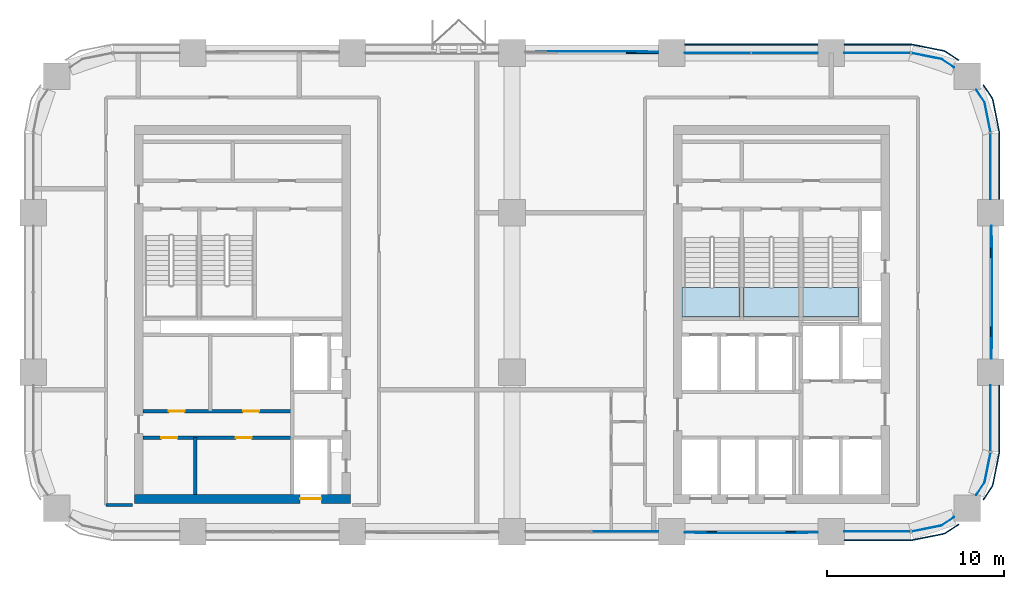
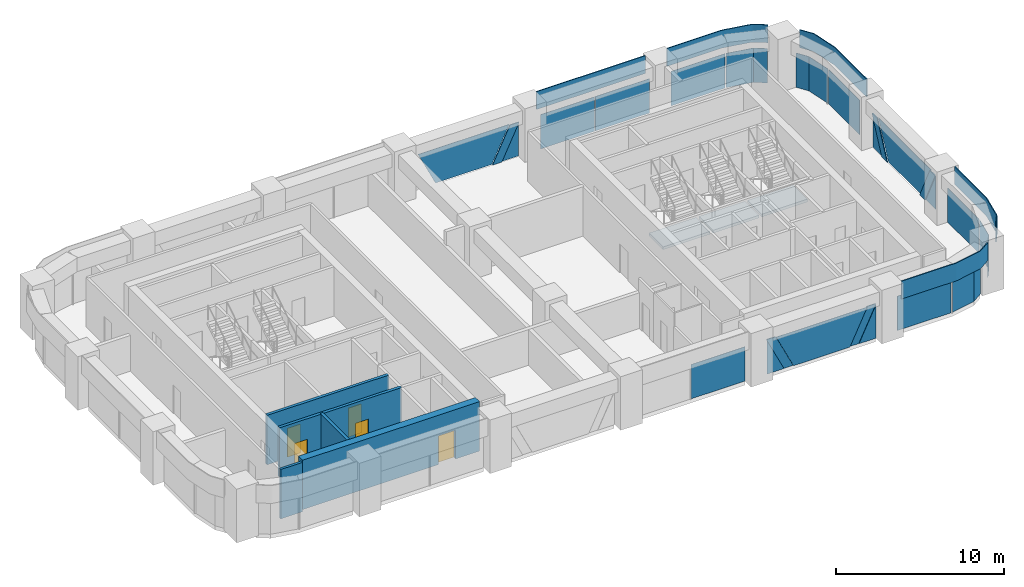
# One storey, part 8 of 14: 29 plates, 5 doors, 5 walls, 3 slabs, 5 openings, 12 elements without a shape of their own.
"""IFC4 building model written with IfcOpenShell, lengths in metres."""

from ifc_helpers import new_model, si_unit, direction, frame, frame_2d, origin, origin_2d, place, context, subcontext, project, spatial, polyline, rectangle, outline, extrude, material, layer, layer_set, type_object, element, fill, aggregate, save


model = new_model("IFC4")

# Units and contexts
model_context = context("Model", 3, precision=1e-05, world=origin(), true_north=direction((0.0, 1.0)))
body_context = subcontext(model_context, "Body", "Model", "MODEL_VIEW")
ifc_project = project(units=[si_unit("LENGTHUNIT", "METRE"), si_unit("AREAUNIT", "SQUARE_METRE"), si_unit("VOLUMEUNIT", "CUBIC_METRE"), si_unit("PLANEANGLEUNIT", "RADIAN"), si_unit("MASSUNIT", "GRAM", prefix="KILO")], contexts=[model_context])

# Site, building, storey
site_placement = place(None, origin())
site = spatial("IfcSite", under=ifc_project, at=site_placement, CompositionType="ELEMENT")
building_placement = place(site_placement, origin())
building = spatial("IfcBuilding", under=site, at=building_placement, Name="Tessera Arch", CompositionType="ELEMENT")
storey_placement = place(building_placement, frame((0.0, 0.0, 177.800048828125)))
storey = spatial("IfcBuildingStorey", under=building, at=storey_placement, Name="L42", CompositionType="ELEMENT", Elevation=177.800048828125)

# Curtain wall, plates
ifc_material_1 = material(Name="CW1 curtain wall")
curtain_wall_type_1 = type_object("IfcCurtainWallType", Name="CW1 curtain wall", PredefinedType="NOTDEFINED", material=ifc_material_1)
curtain_wall_1_placement = place(storey_placement, origin())
curtain_wall_1 = element("IfcCurtainWall", 1, at=curtain_wall_1_placement, inside=storey, type_object=curtain_wall_type_1, Name="CW1 curtain wall N54.0/1 L42", PredefinedType="NOTDEFINED")
ifc_material_2 = material(Name="Clear low-e glass", Category="glass")
ifc_material_3 = material(Name="Clear low-e glass", Category="glass")
ifc_layer_1 = layer(ifc_material_3, 0.028076171875)
ifc_layer_set_1 = layer_set([ifc_layer_1], Name="CW1 glass panel")
plate_type_1 = type_object("IfcPlateType", Name="CW1 glass panel", PredefinedType="CURTAIN_PANEL", material=ifc_layer_set_1)
plate_1_placement = place(storey_placement, frame((42.389892578125, 54.0, 0.0), z_axis=(0.0, 0.0, 1.0), x_axis=(-1.0, 0.0, 0.0)))
plate_1 = element("IfcPlate", 2, at=plate_1_placement, type_object=plate_type_1, material=ifc_material_2, Name="CW1 glass panel N54.0/1 1.1.1", PredefinedType="CURTAIN_PANEL", context=body_context, shape_type="SweptSolid", body=[
    extrude(rectangle(XDim=3.719970703125, YDim=0.028076171875, at=origin_2d()), origin(), (0.0, 0.0, 1.0), 2.5),
])
plate_2_placement = place(storey_placement, frame((38.610107421875, 54.0, 0.0), z_axis=(0.0, 0.0, 1.0), x_axis=(-1.0, 0.0, 0.0)))
plate_2 = element("IfcPlate", 3, at=plate_2_placement, type_object=plate_type_1, material=ifc_material_2, Name="CW1 glass panel N54.0/1 1.2.1", PredefinedType="CURTAIN_PANEL", context=body_context, shape_type="SweptSolid", body=[
    extrude(rectangle(XDim=3.719970703125, YDim=0.028076171875, at=origin_2d()), origin(), (0.0, 0.0, 1.0), 2.5),
])

# Curtain wall, plate
curtain_wall_2_placement = place(storey_placement, origin())
curtain_wall_2 = element("IfcCurtainWall", 4, at=curtain_wall_2_placement, inside=storey, type_object=curtain_wall_type_1, Name="CW1 curtain wall S27.0/3 L42", PredefinedType="NOTDEFINED")
plate_3_placement = place(storey_placement, frame((33.389892578125, 27.0, 0.0), z_axis=(0.0, 0.0, 1.0), x_axis=(1.0, 0.0, 0.0)))
plate_3 = element("IfcPlate", 5, at=plate_3_placement, type_object=plate_type_1, material=ifc_material_2, Name="CW1 glass panel S27.0/3 1.2.1", PredefinedType="CURTAIN_PANEL", context=body_context, shape_type="SweptSolid", body=[
    extrude(rectangle(XDim=3.719970703125, YDim=0.028076171875, at=origin_2d()), origin(), (0.0, 0.0, 1.0), 2.5),
])
aggregate(curtain_wall_2, [plate_3])

# Plate
ifc_material_4 = material(Name="Pale anodised aluminium panel", Category="aluminium")
ifc_layer_2 = layer(ifc_material_4, 0.06005859375)
ifc_layer_set_2 = layer_set([ifc_layer_2], Name="CW1 spandrel panel")
plate_type_2 = type_object("IfcPlateType", Name="CW1 spandrel panel", PredefinedType="CURTAIN_PANEL", material=ifc_layer_set_2)
plate_4_placement = place(storey_placement, frame((40.5, 54.47998046875, 2.60009765625), z_axis=(0.0, 0.0, 1.0), x_axis=(-1.0, 0.0, 0.0)))
plate_4 = element("IfcPlate", 6, at=plate_4_placement, type_object=plate_type_2, Name="CW1 spandrel panel N54.0/1", PredefinedType="CURTAIN_PANEL", context=body_context, shape_type="SweptSolid", body=[
    extrude(rectangle(XDim=7.5, YDim=0.06005859375, at=origin_2d()), origin(), (0.0, 0.0, 1.0), 1.300048828125),
])

aggregate(curtain_wall_1, [plate_1, plate_2, plate_4])

# Curtain wall, plates
ifc_material_5 = material(Name="CW2 curtain wall")
curtain_wall_type_2 = type_object("IfcCurtainWallType", Name="CW2 curtain wall", PredefinedType="NOTDEFINED", material=ifc_material_5)
curtain_wall_3_placement = place(storey_placement, origin())
curtain_wall_3 = element("IfcCurtainWall", 7, at=curtain_wall_3_placement, inside=storey, type_object=curtain_wall_type_2, Name="CW2 curtain wall E54.27/1 L42", PredefinedType="NOTDEFINED")
ifc_material_6 = material(Name="Clear low-e glass", Category="glass")
ifc_layer_3 = layer(ifc_material_6, 0.028076171875)
ifc_layer_set_3 = layer_set([ifc_layer_3], Name="CW2 glass panel")
plate_type_3 = type_object("IfcPlateType", Name="CW2 glass panel", PredefinedType="CURTAIN_PANEL", material=ifc_layer_set_3)
plate_5_placement = place(storey_placement, frame((54.0, 47.60498046875, 0.0), z_axis=(0.0, 0.0, 1.0), x_axis=(0.0, 1.0, 0.0)))
plate_5 = element("IfcPlate", 8, at=plate_5_placement, type_object=plate_type_3, material=ifc_material_2, Name="CW2 glass panel E54.27/1 1.1", PredefinedType="CURTAIN_PANEL", context=body_context, shape_type="SweptSolid", body=[
    extrude(rectangle(XDim=3.7099609375, YDim=0.028076171875, at=origin_2d()), origin(), (0.0, 0.0, 1.0), 2.5),
])
plate_6_placement = place(storey_placement, origin())
plate_6 = element("IfcPlate", 9, at=plate_6_placement, type_object=plate_type_3, material=ifc_material_2, Name="CW2 curved glass panel E54.27/1 2.1", PredefinedType="CURTAIN_PANEL", context=body_context, shape_type="SweptSolid", body=[
    extrude(outline(polyline([(53.644287109375, 51.216552734375), (53.978515625, 49.53662109375), (54.005859375, 49.5419921875), (53.670654296875, 51.2275390625), (53.19482421875, 51.939697265625), (53.17138671875, 51.92431640625), (53.644287109375, 51.216552734375)])), origin(), (0.0, 0.0, 1.0), 2.5),
])

curtain_wall_4_placement = place(storey_placement, origin())
curtain_wall_4 = element("IfcCurtainWall", 10, at=curtain_wall_4_placement, inside=storey, type_object=curtain_wall_type_2, Name="CW2 curtain wall N54.0/0 L42", PredefinedType="NOTDEFINED")
plate_7_placement = place(storey_placement, frame((47.60498046875, 54.0, 0.0), z_axis=(0.0, 0.0, 1.0), x_axis=(-1.0, 0.0, 0.0)))
plate_7 = element("IfcPlate", 11, at=plate_7_placement, type_object=plate_type_3, material=ifc_material_2, Name="CW2 glass panel N54.0/0 1.1", PredefinedType="CURTAIN_PANEL", context=body_context, shape_type="SweptSolid", body=[
    extrude(rectangle(XDim=3.7099609375, YDim=0.028076171875, at=origin_2d()), origin(), (0.0, 0.0, 1.0), 2.5),
])
plate_8_placement = place(storey_placement, origin())
plate_8 = element("IfcPlate", 12, at=plate_8_placement, type_object=plate_type_3, material=ifc_material_2, Name="CW2 curved glass panel N54.0/0 2.1", PredefinedType="CURTAIN_PANEL", context=body_context, shape_type="SweptSolid", body=[
    extrude(outline(polyline([(51.216552734375, 53.644287109375), (51.92431640625, 53.17138671875), (51.939697265625, 53.19482421875), (51.2275390625, 53.670654296875), (49.5419921875, 54.005859375), (49.53662109375, 53.978515625), (51.216552734375, 53.644287109375)])), origin(), (0.0, 0.0, 1.0), 2.5),
])

curtain_wall_5_placement = place(storey_placement, origin())
curtain_wall_5 = element("IfcCurtainWall", 13, at=curtain_wall_5_placement, inside=storey, type_object=curtain_wall_type_2, Name="CW2 curtain wall S27.0/5 L42", PredefinedType="NOTDEFINED")
plate_9_placement = place(storey_placement, frame((47.60498046875, 27.0, 0.0), z_axis=(0.0, 0.0, 1.0), x_axis=(1.0, 0.0, 0.0)))
plate_9 = element("IfcPlate", 14, at=plate_9_placement, type_object=plate_type_3, material=ifc_material_2, Name="CW2 glass panel S27.0/5 1.1", PredefinedType="CURTAIN_PANEL", context=body_context, shape_type="SweptSolid", body=[
    extrude(rectangle(XDim=3.7099609375, YDim=0.028076171875, at=origin_2d()), origin(), (0.0, 0.0, 1.0), 2.5),
])
plate_10_placement = place(storey_placement, origin())
plate_10 = element("IfcPlate", 15, at=plate_10_placement, type_object=plate_type_3, material=ifc_material_2, Name="CW2 curved glass panel S27.0/5 2.1", PredefinedType="CURTAIN_PANEL", context=body_context, shape_type="SweptSolid", body=[
    extrude(outline(polyline([(51.216552734375, 27.355712890625), (49.53662109375, 27.021484375), (49.5419921875, 26.994140625), (51.2275390625, 27.329345703125), (51.939697265625, 27.80517578125), (51.92431640625, 27.82861328125), (51.216552734375, 27.355712890625)])), origin(), (0.0, 0.0, 1.0), 2.5),
])

curtain_wall_6_placement = place(storey_placement, origin())
curtain_wall_6 = element("IfcCurtainWall", 16, at=curtain_wall_6_placement, inside=storey, type_object=curtain_wall_type_2, Name="CW2 curtain wall E54.27/2 L42", PredefinedType="NOTDEFINED")
plate_11_placement = place(storey_placement, frame((54.0, 33.39501953125, 0.0), z_axis=(0.0, 0.0, 1.0), x_axis=(0.0, 1.0, 0.0)))
plate_11 = element("IfcPlate", 17, at=plate_11_placement, type_object=plate_type_3, material=ifc_material_2, Name="CW2 glass panel E54.27/2 1.1", PredefinedType="CURTAIN_PANEL", context=body_context, shape_type="SweptSolid", body=[
    extrude(rectangle(XDim=3.7099609375, YDim=0.028076171875, at=origin_2d()), origin(), (0.0, 0.0, 1.0), 2.5),
])
plate_12_placement = place(storey_placement, origin())
plate_12 = element("IfcPlate", 18, at=plate_12_placement, type_object=plate_type_3, material=ifc_material_2, Name="CW2 curved glass panel E54.27/2 2.1", PredefinedType="CURTAIN_PANEL", context=body_context, shape_type="SweptSolid", body=[
    extrude(outline(polyline([(53.644287109375, 29.783447265625), (53.17138671875, 29.07568359375), (53.19482421875, 29.060302734375), (53.670654296875, 29.7724609375), (54.005859375, 31.4580078125), (53.978515625, 31.46337890625), (53.644287109375, 29.783447265625)])), origin(), (0.0, 0.0, 1.0), 2.5),
])

# Plate
ifc_material_7 = material(Name="Pale anodised aluminium panel", Category="aluminium")
ifc_layer_4 = layer(ifc_material_7, 0.06005859375)
ifc_layer_set_4 = layer_set([ifc_layer_4], Name="CW2 spandrel panel")
plate_type_4 = type_object("IfcPlateType", Name="CW2 spandrel panel", PredefinedType="CURTAIN_PANEL", material=ifc_layer_set_4)
plate_13_placement = place(storey_placement, frame((0.0, 0.0, 2.599853515625)))
plate_13 = element("IfcPlate", 19, at=plate_13_placement, type_object=plate_type_4, Name="CW2 spandrel panel E54.27/1", PredefinedType="CURTAIN_PANEL", context=body_context, shape_type="SweptSolid", body=[
    extrude(outline(polyline([(54.449951171875, 49.499267578125), (54.449951171875, 45.75), (54.510009765625, 45.75), (54.510009765625, 49.500732421875), (54.507568359375, 49.550048828125), (54.500244140625, 49.598876953125), (54.157470703125, 51.322265625), (54.1455078125, 51.3701171875), (54.128662109375, 51.417236328125), (54.107421875, 51.462646484375), (54.08203125, 51.5048828125), (53.607177734375, 52.21533203125), (53.55712890625, 52.18212890625), (54.03125, 51.47265625), (54.054443359375, 51.434326171875), (54.0732421875, 51.394287109375), (54.088134765625, 51.352783203125), (54.09912109375, 51.30908203125), (54.441162109375, 49.588623046875), (54.44775390625, 49.544189453125), (54.449951171875, 49.499267578125)])), origin(), (0.0, 0.0, 1.0), 1.300048828125),
])

aggregate(curtain_wall_3, [plate_5, plate_6, plate_13])

plate_14_placement = place(storey_placement, frame((0.0, 0.0, 2.599853515625)))
plate_14 = element("IfcPlate", 20, at=plate_14_placement, type_object=plate_type_4, Name="CW2 spandrel panel N54.0/0", PredefinedType="CURTAIN_PANEL", context=body_context, shape_type="SweptSolid", body=[
    extrude(outline(polyline([(51.47265625, 54.03125), (52.18212890625, 53.55712890625), (52.21533203125, 53.607177734375), (51.5048828125, 54.08203125), (51.462646484375, 54.107421875), (51.417236328125, 54.128662109375), (51.3701171875, 54.1455078125), (51.322265625, 54.157470703125), (49.598876953125, 54.500244140625), (49.550048828125, 54.507568359375), (49.500732421875, 54.510009765625), (45.75, 54.510009765625), (45.75, 54.449951171875), (49.499267578125, 54.449951171875), (49.544189453125, 54.44775390625), (49.588623046875, 54.441162109375), (51.30908203125, 54.09912109375), (51.352783203125, 54.088134765625), (51.394287109375, 54.0732421875), (51.434326171875, 54.054443359375), (51.47265625, 54.03125)])), origin(), (0.0, 0.0, 1.0), 1.300048828125),
])

aggregate(curtain_wall_4, [plate_7, plate_8, plate_14])

plate_15_placement = place(storey_placement, frame((0.0, 0.0, 2.599853515625)))
plate_15 = element("IfcPlate", 21, at=plate_15_placement, type_object=plate_type_4, Name="CW2 spandrel panel S27.0/5", PredefinedType="CURTAIN_PANEL", context=body_context, shape_type="SweptSolid", body=[
    extrude(outline(polyline([(49.499267578125, 26.550048828125), (45.75, 26.550048828125), (45.75, 26.489990234375), (49.500732421875, 26.489990234375), (49.550048828125, 26.492431640625), (49.598876953125, 26.499755859375), (51.322265625, 26.842529296875), (51.3701171875, 26.8544921875), (51.417236328125, 26.871337890625), (51.462646484375, 26.892578125), (51.5048828125, 26.91796875), (52.21533203125, 27.392822265625), (52.18212890625, 27.44287109375), (51.47265625, 26.96875), (51.434326171875, 26.945556640625), (51.394287109375, 26.9267578125), (51.352783203125, 26.911865234375), (51.30908203125, 26.90087890625), (49.588623046875, 26.558837890625), (49.544189453125, 26.55224609375), (49.499267578125, 26.550048828125)])), origin(), (0.0, 0.0, 1.0), 1.300048828125),
])

aggregate(curtain_wall_5, [plate_9, plate_10, plate_15])

plate_16_placement = place(storey_placement, frame((0.0, 0.0, 2.599853515625)))
plate_16 = element("IfcPlate", 22, at=plate_16_placement, type_object=plate_type_4, Name="CW2 spandrel panel E54.27/2", PredefinedType="CURTAIN_PANEL", context=body_context, shape_type="SweptSolid", body=[
    extrude(outline(polyline([(54.03125, 29.52734375), (53.55712890625, 28.81787109375), (53.607177734375, 28.78466796875), (54.08203125, 29.4951171875), (54.107421875, 29.537353515625), (54.128662109375, 29.582763671875), (54.1455078125, 29.6298828125), (54.157470703125, 29.677734375), (54.500244140625, 31.401123046875), (54.507568359375, 31.449951171875), (54.510009765625, 31.499267578125), (54.510009765625, 35.25), (54.449951171875, 35.25), (54.449951171875, 31.500732421875), (54.44775390625, 31.455810546875), (54.441162109375, 31.411376953125), (54.09912109375, 29.69091796875), (54.088134765625, 29.647216796875), (54.0732421875, 29.605712890625), (54.054443359375, 29.565673828125), (54.03125, 29.52734375)])), origin(), (0.0, 0.0, 1.0), 1.300048828125),
])

aggregate(curtain_wall_6, [plate_11, plate_12, plate_16])

# Curtain wall, plates
ifc_material_8 = material(Name="CW3 curtain wall")
curtain_wall_type_3 = type_object("IfcCurtainWallType", Name="CW3 curtain wall", PredefinedType="NOTDEFINED", material=ifc_material_8)
curtain_wall_7_placement = place(storey_placement, origin())
curtain_wall_7 = element("IfcCurtainWall", 23, at=curtain_wall_7_placement, inside=storey, type_object=curtain_wall_type_3, Name="CW3 curtain wall E54.27/0 L42", PredefinedType="NOTDEFINED")
ifc_material_9 = material(Name="Pale anodised aluminium panel", Category="aluminium")
ifc_layer_5 = layer(ifc_material_9, 0.06005859375)
ifc_layer_set_5 = layer_set([ifc_layer_5], Name="CW3 diagonal panel")
plate_type_5 = type_object("IfcPlateType", Name="CW3 diagonal panel", PredefinedType="CURTAIN_PANEL", material=ifc_layer_set_5)
plate_17_placement = place(storey_placement, frame((54.030029296875, 44.25, 2.5), z_axis=(1.0, 0.0, 0.0), x_axis=(0.0, -1.0, 0.0)))
plate_17 = element("IfcPlate", 24, at=plate_17_placement, type_object=plate_type_5, Name="CW3 diagonal panel E54.27/0 1", PredefinedType="CURTAIN_PANEL", context=body_context, shape_type="SweptSolid", body=[
    extrude(outline(polyline([(0.0, 0.0), (0.608642578125, 0.0), (1.810546875, 2.5), (1.170166015625, 2.5), (0.0, 0.06591796875), (0.0, 0.0)])), origin(), (0.0, 0.0, -1.0), 0.06005859375),
])
plate_18_placement = place(storey_placement, frame((54.030029296875, 36.75, 2.5), z_axis=(1.0, 0.0, 0.0), x_axis=(0.0, 0.0, -1.0)))
plate_18 = element("IfcPlate", 25, at=plate_18_placement, type_object=plate_type_5, Name="CW3 diagonal panel E54.27/0 2", PredefinedType="CURTAIN_PANEL", context=body_context, shape_type="SweptSolid", body=[
    extrude(outline(polyline([(0.0, 0.0), (0.06591796875, 0.0), (2.5, 1.170166015625), (2.5, 1.810546875), (0.0, 0.608642578125), (0.0, 0.0)])), origin(), (0.0, 0.0, -1.0), 0.06005859375),
])

# Curtain wall, plate
curtain_wall_8_placement = place(storey_placement, origin())
curtain_wall_8 = element("IfcCurtainWall", 26, at=curtain_wall_8_placement, inside=storey, type_object=curtain_wall_type_3, Name="CW3 curtain wall N54.0/2 L42", PredefinedType="NOTDEFINED")
plate_19_placement = place(storey_placement, frame((35.25, 54.030029296875, 2.5), z_axis=(0.0, 1.0, 0.0), x_axis=(0.0, 0.0, -1.0)))
plate_19 = element("IfcPlate", 27, at=plate_19_placement, type_object=plate_type_5, Name="CW3 diagonal panel N54.0/2 2", PredefinedType="CURTAIN_PANEL", context=body_context, shape_type="SweptSolid", body=[
    extrude(outline(polyline([(0.0, 0.0), (0.06591796875, 0.0), (2.5, 1.170166015625), (2.5, 1.810546875), (0.0, 0.608642578125), (0.0, 0.0)])), origin(), (0.0, 0.0, -1.0), 0.06005859375),
])

# Curtain wall, plates
curtain_wall_9_placement = place(storey_placement, origin())
curtain_wall_9 = element("IfcCurtainWall", 28, at=curtain_wall_9_placement, inside=storey, type_object=curtain_wall_type_3, Name="CW3 curtain wall S27.0/4 L42", PredefinedType="NOTDEFINED")
plate_20_placement = place(storey_placement, frame((44.25, 26.969970703125, 2.5), z_axis=(0.0, -1.0, 0.0), x_axis=(-1.0, 0.0, 0.0)))
plate_20 = element("IfcPlate", 29, at=plate_20_placement, type_object=plate_type_5, Name="CW3 diagonal panel S27.0/4 1", PredefinedType="CURTAIN_PANEL", context=body_context, shape_type="SweptSolid", body=[
    extrude(outline(polyline([(0.0, 0.0), (0.608642578125, 0.0), (1.810546875, 2.5), (1.170166015625, 2.5), (0.0, 0.06591796875), (0.0, 0.0)])), origin(), (0.0, 0.0, -1.0), 0.06005859375),
])
plate_21_placement = place(storey_placement, frame((36.75, 26.969970703125, 2.5), z_axis=(0.0, -1.0, 0.0), x_axis=(0.0, 0.0, -1.0)))
plate_21 = element("IfcPlate", 30, at=plate_21_placement, type_object=plate_type_5, Name="CW3 diagonal panel S27.0/4 2", PredefinedType="CURTAIN_PANEL", context=body_context, shape_type="SweptSolid", body=[
    extrude(outline(polyline([(0.0, 0.0), (0.06591796875, 0.0), (2.5, 1.170166015625), (2.5, 1.810546875), (0.0, 0.608642578125), (0.0, 0.0)])), origin(), (0.0, 0.0, -1.0), 0.06005859375),
])

# Plate
ifc_material_10 = material(Name="Clear low-e glass", Category="glass")
ifc_layer_6 = layer(ifc_material_10, 0.028076171875)
ifc_layer_set_6 = layer_set([ifc_layer_6], Name="CW3 glass panel")
plate_type_6 = type_object("IfcPlateType", Name="CW3 glass panel", PredefinedType="CURTAIN_PANEL", material=ifc_layer_set_6)
plate_22_placement = place(storey_placement, frame((54.05810546875, 36.75, 0.0), z_axis=(1.0, 0.0, 0.0), x_axis=(0.0, 1.0, 0.0)))
plate_22 = element("IfcPlate", 31, at=plate_22_placement, type_object=plate_type_6, material=ifc_material_2, Name="CW3 triangulated glass panel E54.27/0 1", PredefinedType="CURTAIN_PANEL", context=body_context, shape_type="SweptSolid", body=[
    extrude(outline(polyline([(0.0, 0.0), (1.170166015625, 0.0), (0.0, 2.43408203125), (0.0, 0.0)])), origin(), (0.0, 0.0, -1.0), 0.028076171875),
])

plate_23_placement = place(storey_placement, frame((54.0859375, 43.641357421875, 2.5), z_axis=(1.0, 0.0, 0.0), x_axis=(0.0, -1.0, 0.0)))
plate_23 = element("IfcPlate", 32, at=plate_23_placement, type_object=plate_type_6, material=ifc_material_2, Name="CW3 triangulated glass panel E54.27/0 2", PredefinedType="CURTAIN_PANEL", context=body_context, shape_type="SweptSolid", body=[
    extrude(outline(polyline([(0.0, 0.0), (6.28271484375, 0.0), (5.080810546875, 2.5), (1.201904296875, 2.5), (0.0, 0.0)])), origin(), (0.0, 0.0, -1.0), 0.028076171875),
])

plate_24_placement = place(storey_placement, frame((54.05810546875, 44.25, 0.0), z_axis=(1.0, 0.0, 0.0), x_axis=(0.0, 0.0, 1.0)))
plate_24 = element("IfcPlate", 33, at=plate_24_placement, type_object=plate_type_6, material=ifc_material_2, Name="CW3 triangulated glass panel E54.27/0 3", PredefinedType="CURTAIN_PANEL", context=body_context, shape_type="SweptSolid", body=[
    extrude(outline(polyline([(0.0, 0.0), (2.43408203125, 0.0), (0.0, 1.170166015625), (0.0, 0.0)])), origin(), (0.0, 0.0, -1.0), 0.028076171875),
])

aggregate(curtain_wall_7, [plate_22, plate_23, plate_24, plate_17, plate_18])

plate_25_placement = place(storey_placement, frame((35.25, 54.05810546875, 0.0), z_axis=(0.0, 1.0, 0.0), x_axis=(-1.0, 0.0, 0.0)))
plate_25 = element("IfcPlate", 34, at=plate_25_placement, type_object=plate_type_6, material=ifc_material_2, Name="CW3 triangulated glass panel N54.0/2 1", PredefinedType="CURTAIN_PANEL", context=body_context, shape_type="SweptSolid", body=[
    extrude(outline(polyline([(0.0, 0.0), (1.170166015625, 0.0), (0.0, 2.43408203125), (0.0, 0.0)])), origin(), (0.0, 0.0, -1.0), 0.028076171875),
])

plate_26_placement = place(storey_placement, frame((28.358642578125, 54.0859375, 2.5), z_axis=(0.0, 1.0, 0.0), x_axis=(1.0, 0.0, 0.0)))
plate_26 = element("IfcPlate", 35, at=plate_26_placement, type_object=plate_type_6, material=ifc_material_2, Name="CW3 triangulated glass panel N54.0/2 2", PredefinedType="CURTAIN_PANEL", context=body_context, shape_type="SweptSolid", body=[
    extrude(outline(polyline([(0.0, 0.0), (6.28271484375, 0.0), (5.080810546875, 2.5), (1.201904296875, 2.5), (0.0, 0.0)])), origin(), (0.0, 0.0, -1.0), 0.028076171875),
])

aggregate(curtain_wall_8, [plate_25, plate_26, plate_19])

plate_27_placement = place(storey_placement, frame((36.75, 26.94189453125, 0.0), z_axis=(0.0, -1.0, 0.0), x_axis=(1.0, 0.0, 0.0)))
plate_27 = element("IfcPlate", 36, at=plate_27_placement, type_object=plate_type_6, material=ifc_material_2, Name="CW3 triangulated glass panel S27.0/4 1", PredefinedType="CURTAIN_PANEL", context=body_context, shape_type="SweptSolid", body=[
    extrude(outline(polyline([(0.0, 0.0), (1.170166015625, 0.0), (0.0, 2.43408203125), (0.0, 0.0)])), origin(), (0.0, 0.0, -1.0), 0.028076171875),
])

plate_28_placement = place(storey_placement, frame((43.641357421875, 26.9140625, 2.5), z_axis=(0.0, -1.0, 0.0), x_axis=(-1.0, 0.0, 0.0)))
plate_28 = element("IfcPlate", 37, at=plate_28_placement, type_object=plate_type_6, material=ifc_material_2, Name="CW3 triangulated glass panel S27.0/4 2", PredefinedType="CURTAIN_PANEL", context=body_context, shape_type="SweptSolid", body=[
    extrude(outline(polyline([(0.0, 0.0), (6.28271484375, 0.0), (5.080810546875, 2.5), (1.201904296875, 2.5), (0.0, 0.0)])), origin(), (0.0, 0.0, -1.0), 0.028076171875),
])

plate_29_placement = place(storey_placement, frame((44.25, 26.94189453125, 0.0), z_axis=(0.0, -1.0, 0.0), x_axis=(0.0, 0.0, 1.0)))
plate_29 = element("IfcPlate", 38, at=plate_29_placement, type_object=plate_type_6, material=ifc_material_2, Name="CW3 triangulated glass panel S27.0/4 3", PredefinedType="CURTAIN_PANEL", context=body_context, shape_type="SweptSolid", body=[
    extrude(outline(polyline([(0.0, 0.0), (2.43408203125, 0.0), (0.0, 1.170166015625), (0.0, 0.0)])), origin(), (0.0, 0.0, -1.0), 0.028076171875),
])

aggregate(curtain_wall_9, [plate_27, plate_28, plate_29, plate_20, plate_21])

# Stair, slab
ifc_material_11 = material(Name="Concrete C40/50", Category="concrete")
stair_type = type_object("IfcStairType", Name="Dogleg stair 1520", PredefinedType="HALF_TURN_STAIR", material=ifc_material_11)
stair_1_placement = place(storey_placement, origin())
stair_1 = element("IfcStair", 39, at=stair_1_placement, inside=storey, type_object=stair_type, Name="L42 S1a", PredefinedType="HALF_TURN_STAIR")
ifc_material_12 = material(Name="Concrete C40/50", Category="concrete")
ifc_layer_7 = layer(ifc_material_12, 0.300048828125)
ifc_layer_set_7 = layer_set([ifc_layer_7], Name="Stair landing 300")
slab_type = type_object("IfcSlabType", Name="Stair landing 300", PredefinedType="LANDING", material=ifc_layer_set_7)
slab_1_placement = place(storey_placement, frame((0.0, 0.0, 1.75)))
slab_1 = element("IfcSlab", 40, at=slab_1_placement, type_object=slab_type, Name="S1a landing 1", PredefinedType="LANDING", context=body_context, shape_type="SweptSolid", body=[
    extrude(outline(polyline([(36.60009765625, 40.780029296875), (36.60009765625, 39.10009765625), (39.85009765625, 39.10009765625), (39.85009765625, 40.780029296875), (36.60009765625, 40.780029296875)])), origin(), (0.0, 0.0, 1.0), 0.199951171875),
])
aggregate(stair_1, [slab_1])

stair_2_placement = place(storey_placement, origin())
stair_2 = element("IfcStair", 41, at=stair_2_placement, inside=storey, type_object=stair_type, Name="L42 S1b", PredefinedType="HALF_TURN_STAIR")
slab_2_placement = place(storey_placement, frame((0.0, 0.0, 1.75)))
slab_2 = element("IfcSlab", 42, at=slab_2_placement, type_object=slab_type, Name="S1b landing 1", PredefinedType="LANDING", context=body_context, shape_type="SweptSolid", body=[
    extrude(outline(polyline([(40.050048828125, 40.780029296875), (40.050048828125, 39.10009765625), (43.199951171875, 39.10009765625), (43.199951171875, 40.780029296875), (40.050048828125, 40.780029296875)])), origin(), (0.0, 0.0, 1.0), 0.199951171875),
])
aggregate(stair_2, [slab_2])

stair_3_placement = place(storey_placement, origin())
stair_3 = element("IfcStair", 43, at=stair_3_placement, inside=storey, type_object=stair_type, Name="L42 S1c", PredefinedType="HALF_TURN_STAIR")
slab_3_placement = place(storey_placement, frame((0.0, 0.0, 1.75)))
slab_3 = element("IfcSlab", 44, at=slab_3_placement, type_object=slab_type, Name="S1c landing 1", PredefinedType="LANDING", context=body_context, shape_type="SweptSolid", body=[
    extrude(outline(polyline([(43.39990234375, 40.780029296875), (43.39990234375, 39.10009765625), (46.550048828125, 39.10009765625), (46.550048828125, 40.780029296875), (43.39990234375, 40.780029296875)])), origin(), (0.0, 0.0, 1.0), 0.199951171875),
])
aggregate(stair_3, [slab_3])

# Wall
ifc_material_13 = material(Name="Gypsum board on steel stud", Category="steel")
ifc_layer_8 = layer(ifc_material_13, 0.125)
ifc_layer_set_8 = layer_set([ifc_layer_8], Name="Core partition 125 EI 60")
wall_type_1 = type_object("IfcWallType", Name="Core partition 125 EI 60", PredefinedType="PARTITIONING", material=ifc_layer_set_8)
wall_1_placement = place(storey_placement, frame((9.139892578125, 29.10009765625, 0.0), z_axis=(0.0, 0.0, 1.0), x_axis=(0.0, 1.0, 0.0)))
element("IfcWall", 45, at=wall_1_placement, inside=storey, type_object=wall_type_1, Name="L42 C2 partition wall 1", PredefinedType="PARTITIONING", context=body_context, shape_type="SweptSolid", body=[
    extrude(rectangle(XDim=3.199951171875, YDim=0.199951171875, at=frame_2d((1.60009765625, 0.0))), origin(), (0.0, 0.0, 1.0), 3.599853515625),
])

# Wall, openings, doors
wall_2_placement = place(storey_placement, frame((6.199951171875, 32.300048828125, 0.0), z_axis=(0.0, 0.0, 1.0), x_axis=(1.0, 0.0, 0.0)))
wall_2 = element("IfcWall", 46, at=wall_2_placement, inside=storey, type_object=wall_type_1, Name="L42 C2 partition wall 13", PredefinedType="PARTITIONING", context=body_context, shape_type="SweptSolid", body=[
    extrude(rectangle(XDim=8.400146484375, YDim=0.199951171875, at=frame_2d((4.2001953125, 0.0))), origin(), (0.0, 0.0, 1.0), 3.599853515625),
])
opening_1_placement = place(wall_2_placement, frame((1.02001953125, 0.0, 0.0)))
opening_1 = element("IfcOpeningElement", 47, at=opening_1_placement, cuts=wall_2, Name="Opening L42-C32", PredefinedType="OPENING", context=body_context, shape_type="SweptSolid", body=[
    extrude(rectangle(XDim=0.89990234375, YDim=2.10009765625, at=frame_2d((0.449951171875, 1.050048828125))), frame((0.0, 0.10986328125, 0.0), z_axis=(0.0, -1.0, 0.0), x_axis=(1.0, 0.0, 0.0)), (0.0, 0.0, 1.0), 0.219970703125),
])
opening_2_placement = place(wall_2_placement, frame((5.219970703125, 0.0, 0.0)))
opening_2 = element("IfcOpeningElement", 48, at=opening_2_placement, cuts=wall_2, Name="Opening L42-C33", PredefinedType="OPENING", context=body_context, shape_type="SweptSolid", body=[
    extrude(rectangle(XDim=0.89990234375, YDim=2.10009765625, at=frame_2d((0.449951171875, 1.050048828125))), frame((0.0, 0.10986328125, 0.0), z_axis=(0.0, -1.0, 0.0), x_axis=(1.0, 0.0, 0.0)), (0.0, 0.0, 1.0), 0.219970703125),
])
ifc_material_14 = material(Name="Steel door leaf", Category="steel")
door_type_1 = type_object("IfcDoorType", Name="Store door FD30S 900 x 2100", OperationType="SINGLE_SWING_LEFT", PredefinedType="DOOR", material=ifc_material_14)
door_1_placement = place(opening_1_placement, origin())
door_1 = element("IfcDoor", 49, at=door_1_placement, inside=storey, type_object=door_type_1, Name="L42 C2 door 13 C32 type D09", OperationType="SINGLE_SWING_LEFT", OverallHeight=2.10009765625, OverallWidth=0.89990234375, PredefinedType="DOOR", context=body_context, shape_type="SweptSolid", body=[
    extrude(rectangle(XDim=0.89990234375, YDim=2.10009765625, at=frame_2d((0.449951171875, 1.050048828125))), frame((0.0, 0.02490234375, 0.0), z_axis=(0.0, -1.0, 0.0), x_axis=(1.0, 0.0, 0.0)), (0.0, 0.0, 1.0), 0.050048828125),
])
fill(opening_1, door_1)
door_2_placement = place(opening_2_placement, origin())
door_2 = element("IfcDoor", 50, at=door_2_placement, inside=storey, type_object=door_type_1, Name="L42 C2 door 14 C33 type D09", OperationType="SINGLE_SWING_RIGHT", OverallHeight=2.10009765625, OverallWidth=0.89990234375, PredefinedType="DOOR", context=body_context, shape_type="SweptSolid", body=[
    extrude(rectangle(XDim=0.89990234375, YDim=2.10009765625, at=frame_2d((0.449951171875, 1.050048828125))), frame((0.0, 0.02490234375, 0.0), z_axis=(0.0, -1.0, 0.0), x_axis=(1.0, 0.0, 0.0)), (0.0, 0.0, 1.0), 0.050048828125),
])
fill(opening_2, door_2)

wall_3_placement = place(storey_placement, frame((6.199951171875, 33.800048828125, 0.0), z_axis=(0.0, 0.0, 1.0), x_axis=(1.0, 0.0, 0.0)))
wall_3 = element("IfcWall", 51, at=wall_3_placement, inside=storey, type_object=wall_type_1, Name="L42 C2 partition wall 15", PredefinedType="PARTITIONING", context=body_context, shape_type="SweptSolid", body=[
    extrude(rectangle(XDim=8.400146484375, YDim=0.199951171875, at=frame_2d((4.2001953125, 0.0))), origin(), (0.0, 0.0, 1.0), 3.599853515625),
])
opening_3_placement = place(wall_3_placement, frame((1.43994140625, 0.0, 0.0)))
opening_3 = element("IfcOpeningElement", 52, at=opening_3_placement, cuts=wall_3, Name="Opening L42-C34", PredefinedType="OPENING", context=body_context, shape_type="SweptSolid", body=[
    extrude(rectangle(XDim=0.89990234375, YDim=2.10009765625, at=frame_2d((0.449951171875, 1.050048828125))), frame((0.0, 0.10986328125, 0.0), z_axis=(0.0, -1.0, 0.0), x_axis=(1.0, 0.0, 0.0)), (0.0, 0.0, 1.0), 0.219970703125),
])
opening_4_placement = place(wall_3_placement, frame((5.639892578125, 0.0, 0.0)))
opening_4 = element("IfcOpeningElement", 53, at=opening_4_placement, cuts=wall_3, Name="Opening L42-C35", PredefinedType="OPENING", context=body_context, shape_type="SweptSolid", body=[
    extrude(rectangle(XDim=0.89990234375, YDim=2.10009765625, at=frame_2d((0.449951171875, 1.050048828125))), frame((0.0, 0.10986328125, 0.0), z_axis=(0.0, -1.0, 0.0), x_axis=(1.0, 0.0, 0.0)), (0.0, 0.0, 1.0), 0.219970703125),
])
door_3_placement = place(opening_3_placement, origin())
door_3 = element("IfcDoor", 54, at=door_3_placement, inside=storey, type_object=door_type_1, Name="L42 C2 door 15 C34 type D09", OperationType="SINGLE_SWING_LEFT", OverallHeight=2.10009765625, OverallWidth=0.89990234375, PredefinedType="DOOR", context=body_context, shape_type="SweptSolid", body=[
    extrude(rectangle(XDim=0.89990234375, YDim=2.10009765625, at=frame_2d((0.449951171875, 1.050048828125))), frame((0.0, 0.02490234375, 0.0), z_axis=(0.0, -1.0, 0.0), x_axis=(1.0, 0.0, 0.0)), (0.0, 0.0, 1.0), 0.050048828125),
])
fill(opening_3, door_3)
door_4_placement = place(opening_4_placement, origin())
door_4 = element("IfcDoor", 55, at=door_4_placement, inside=storey, type_object=door_type_1, Name="L42 C2 door 16 C35 type D09", OperationType="SINGLE_SWING_RIGHT", OverallHeight=2.10009765625, OverallWidth=0.89990234375, PredefinedType="DOOR", context=body_context, shape_type="SweptSolid", body=[
    extrude(rectangle(XDim=0.89990234375, YDim=2.10009765625, at=frame_2d((0.449951171875, 1.050048828125))), frame((0.0, 0.02490234375, 0.0), z_axis=(0.0, -1.0, 0.0), x_axis=(1.0, 0.0, 0.0)), (0.0, 0.0, 1.0), 0.050048828125),
])
fill(opening_4, door_4)

# Wall, opening, door
ifc_material_15 = material(Name="Concrete C60/75", Category="concrete")
ifc_layer_9 = layer(ifc_material_15, 0.5)
ifc_layer_set_9 = layer_set([ifc_layer_9], Name="Core shell wall 500 C60-75")
wall_type_2 = type_object("IfcWallType", Name="Core shell wall 500 C60-75", PredefinedType="SHEAR", material=ifc_layer_set_9)
wall_4_placement = place(storey_placement, frame((5.699951171875, 28.85009765625, 0.0), z_axis=(0.0, 0.0, 1.0), x_axis=(1.0, 0.0, 0.0)))
wall_4 = element("IfcWall", 56, at=wall_4_placement, inside=storey, type_object=wall_type_2, Name="L42 C2 core wall S", PredefinedType="SHEAR", context=body_context, shape_type="SweptSolid", body=[
    extrude(rectangle(XDim=12.199951171875, YDim=0.5, at=frame_2d((6.10009765625, 0.0))), origin(), (0.0, 0.0, 1.0), 3.599853515625),
])
opening_5_placement = place(wall_4_placement, frame((9.35009765625, 0.0, 0.0)))
opening_5 = element("IfcOpeningElement", 57, at=opening_5_placement, cuts=wall_4, Name="Opening L42-C20", PredefinedType="OPENING", context=body_context, shape_type="SweptSolid", body=[
    extrude(rectangle(XDim=1.199951171875, YDim=2.10009765625, at=frame_2d((0.60009765625, 1.050048828125))), frame((0.0, 0.260009765625, 0.0), z_axis=(0.0, -1.0, 0.0), x_axis=(1.0, 0.0, 0.0)), (0.0, 0.0, 1.0), 0.52001953125),
])
ifc_material_16 = material(Name="Stainless steel AISI 304", Category="steel")
door_type_2 = type_object("IfcDoorType", Name="Sliding landing door 1200 x 2100", OperationType="SLIDING_TO_LEFT", PredefinedType="DOOR", material=ifc_material_16)
door_5_placement = place(opening_5_placement, origin())
door_5 = element("IfcDoor", 58, at=door_5_placement, inside=storey, type_object=door_type_2, Name="L42 HR7 lift landing door C20 type LD", OperationType="SLIDING_TO_LEFT", OverallHeight=2.10009765625, OverallWidth=1.199951171875, PredefinedType="DOOR", context=body_context, shape_type="SweptSolid", body=[
    extrude(rectangle(XDim=1.199951171875, YDim=2.10009765625, at=frame_2d((0.60009765625, 1.050048828125))), frame((0.0, 0.02490234375, 0.0), z_axis=(0.0, -1.0, 0.0), x_axis=(1.0, 0.0, 0.0)), (0.0, 0.0, 1.0), 0.050048828125),
])
fill(opening_5, door_5)

# Wall
ifc_material_17 = material(Name="Gypsum board on deep steel stud with mineral wool", Category="steel")
ifc_layer_10 = layer(ifc_material_17, 0.175048828125)
ifc_layer_set_10 = layer_set([ifc_layer_10], Name="Corridor wall 175 EI 60")
wall_type_3 = type_object("IfcWallType", Name="Corridor wall 175 EI 60", PredefinedType="PARTITIONING", material=ifc_layer_set_10)
wall_5_placement = place(storey_placement, frame((4.10009765625, 28.5, 0.0), z_axis=(0.0, 0.0, 1.0), x_axis=(1.0, 0.0, 0.0)))
element("IfcWall", 59, at=wall_5_placement, inside=storey, type_object=wall_type_3, Name="L42 partition 1", PredefinedType="PARTITIONING", context=body_context, shape_type="SweptSolid", body=[
    extrude(rectangle(XDim=1.5, YDim=0.175048828125, at=frame_2d((0.75, 0.0))), origin(), (0.0, 0.0, 1.0), 3.599853515625),
])

save(model, "model.ifc")
